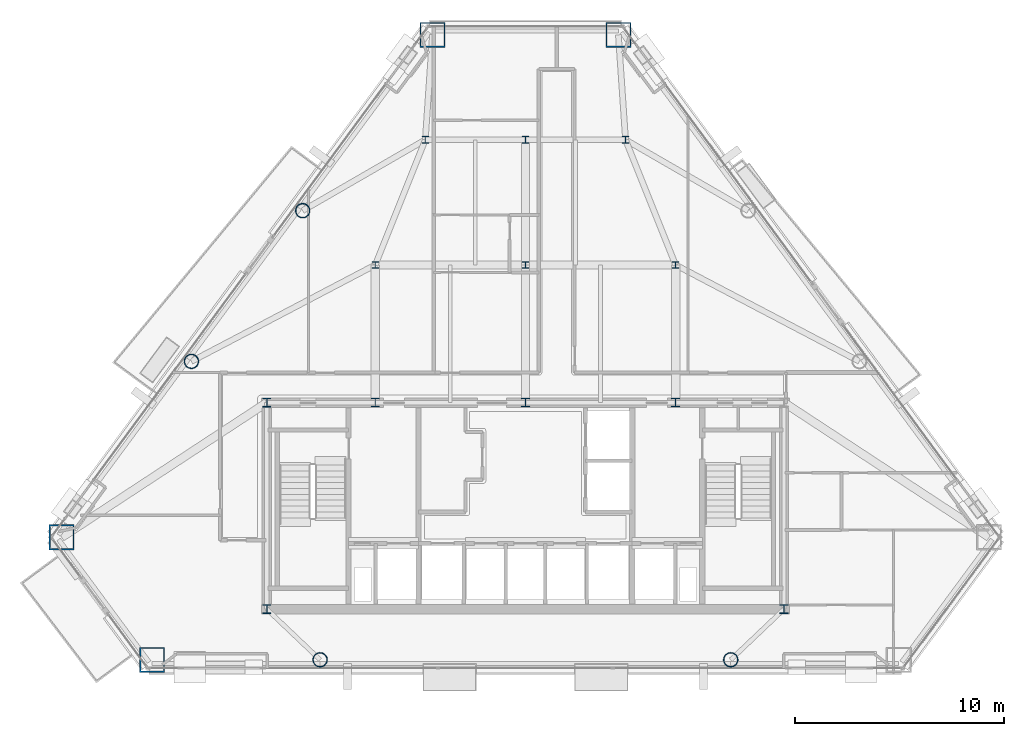
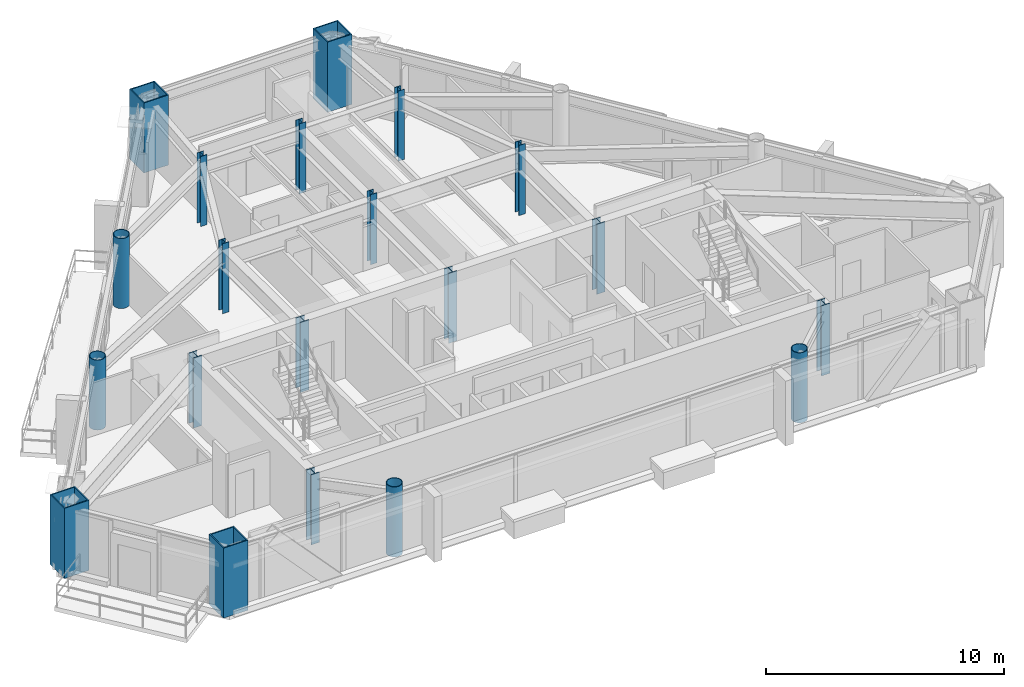
# One storey, part 1 of 12: 20 columns.
"""IFC4 building model written with IfcOpenShell, lengths in metres."""

from ifc_helpers import new_model, si_unit, direction, frame, origin, origin_2d, place, context, subcontext, project, spatial, hollow_rectangle, hollow_circle, i_section, extrude, material, material_profile, profile_set, type_object, element, save


model = new_model("IFC4")

# Units and contexts
model_context = context("Model", 3, precision=1e-05, world=origin(), true_north=direction((0.0, 1.0)))
body_context = subcontext(model_context, "Body", "Model", "MODEL_VIEW")
ifc_project = project(units=[si_unit("LENGTHUNIT", "METRE"), si_unit("AREAUNIT", "SQUARE_METRE"), si_unit("VOLUMEUNIT", "CUBIC_METRE"), si_unit("PLANEANGLEUNIT", "RADIAN"), si_unit("MASSUNIT", "GRAM", prefix="KILO")], contexts=[model_context])

# Site, building, storey
site_placement = place(None, origin())
site = spatial("IfcSite", under=ifc_project, at=site_placement, CompositionType="ELEMENT")
building_placement = place(site_placement, origin())
building = spatial("IfcBuilding", under=site, at=building_placement, Name="Talgorran Terracotta Tower", CompositionType="ELEMENT")
storey_placement = place(building_placement, frame((0.0, 0.0, 165.300048828125)))
storey = spatial("IfcBuildingStorey", under=building, at=storey_placement, Name="L43", CompositionType="ELEMENT", Elevation=165.300048828125)

# Columns
ifc_material_1 = material(Name="Steel S355 (300PLUS)", Category="steel")
ifc_material_profile_1 = material_profile(ifc_material_1, i_section(OverallWidth=0.311279296875, OverallDepth=0.3271484375, WebThickness=0.015625, FlangeThickness=0.02490234375, at=origin_2d()), Name="310UC158")
ifc_profile_set_1 = profile_set([ifc_material_profile_1], Name="Steel S355 (300PLUS)")
column_type_1 = type_object("IfcColumnType", Name="COL_310UC158", PredefinedType="COLUMN", material=ifc_profile_set_1)
for number, where, z_axis, x_axis, name in (
    (1, (-7.199951171875, 2.39990234375, 0.0), (0.0, 0.0, 1.0), (1.0, 0.0, 0.0), "L43 Interior Gravity Column IC1"),
    (2, (0.0, 2.39990234375, 0.0), (0.0, 0.0, 1.0), (1.0, 0.0, 0.0), "L43 Interior Gravity Column IC2"),
    (3, (7.199951171875, 2.39990234375, 0.0), (0.0, 0.0, 1.0), (1.0, 0.0, 0.0), "L43 Interior Gravity Column IC3"),
    (4, (-4.800048828125, 8.39990234375, 0.0), (0.0, 0.0, 1.0), (1.0, 0.0, 0.0), "L43 Interior Gravity Column IC4"),
    (5, (0.0, 8.39990234375, 0.0), (0.0, 0.0, 1.0), (1.0, 0.0, 0.0), "L43 Interior Gravity Column IC5"),
    (6, (4.800048828125, 8.39990234375, 0.0), (0.0, 0.0, 1.0), (1.0, 0.0, 0.0), "L43 Interior Gravity Column IC6"),
):
    element("IfcColumn", number, at=place(storey_placement, frame(where, z_axis=z_axis, x_axis=x_axis)), inside=storey, type_object=column_type_1, Name=name, PredefinedType="COLUMN", context=body_context, shape_type="SweptSolid", body=[
        extrude(i_section(OverallWidth=0.311279296875, OverallDepth=0.3271484375, WebThickness=0.015625, FlangeThickness=0.02490234375, at=origin_2d()), origin(), (0.0, 0.0, 1.0), 3.599853515625),
    ])
ifc_material_profile_2 = material_profile(ifc_material_1, i_section(OverallWidth=0.39990234375, OverallDepth=0.43994140625, WebThickness=0.028076171875, FlangeThickness=0.0400390625, at=origin_2d()), Name="400WC328")
ifc_profile_set_2 = profile_set([ifc_material_profile_2], Name="Steel S355 (300PLUS)")
column_type_2 = type_object("IfcColumnType", Name="COL_400WC328", PredefinedType="COLUMN", material=ifc_profile_set_2)
for number, where, z_axis, x_axis, name in (
    (7, (-12.39990234375, -14.10009765625, 0.0), (0.0, 0.0, 1.0), (1.0, 0.0, 0.0), "L43 Core Boundary Column CC1"),
    (8, (12.39990234375, -14.10009765625, 0.0), (0.0, 0.0, 1.0), (1.0, 0.0, 0.0), "L43 Core Boundary Column CC2"),
    (9, (-12.39990234375, -4.199951171875, 0.0), (0.0, 0.0, 1.0), (1.0, 0.0, 0.0), "L43 Core Boundary Column CC4"),
):
    element("IfcColumn", number, at=place(storey_placement, frame(where, z_axis=z_axis, x_axis=x_axis)), inside=storey, type_object=column_type_2, Name=name, PredefinedType="COLUMN", context=body_context, shape_type="SweptSolid", body=[
        extrude(i_section(OverallWidth=0.39990234375, OverallDepth=0.43994140625, WebThickness=0.028076171875, FlangeThickness=0.0400390625, at=origin_2d()), origin(), (0.0, 0.0, 1.0), 3.599853515625),
    ])
ifc_material_2 = material(Name="Steel Grade 350 (350L0)", Category="steel")
ifc_material_profile_3 = material_profile(ifc_material_2, hollow_rectangle(XDim=1.199951171875, YDim=1.199951171875, WallThickness=0.054931640625, at=origin_2d()), Name="CFT1200X1200X55")
ifc_profile_set_3 = profile_set([ifc_material_profile_3], Name="Steel Grade 350 (350L0)")
column_type_3 = type_object("IfcColumnType", Name="COL_CFT_1200", PredefinedType="COLUMN", material=ifc_profile_set_3)
for number, where, z_axis, x_axis, name in (
    (10, (-22.234130859375, -10.654541015625, 0.0), (0.0, 0.0, 1.0), (1.0, 0.0, 0.0), "L43 Corner CFT Mega-Column MC1"),
    (11, (-17.898193359375, -16.530029296875, 0.0), (0.0, 0.0, 1.0), (1.0, 0.0, 0.0), "L43 Corner CFT Mega-Column MC2"),
    (12, (4.45703125, 13.4345703125, 0.0), (0.0, 0.0, 1.0), (1.0, 0.0, 0.0), "L43 Corner CFT Mega-Column MC5"),
    (13, (-4.45703125, 13.4345703125, 0.0), (0.0, 0.0, 1.0), (1.0, 0.0, 0.0), "L43 Corner CFT Mega-Column MC6"),
):
    element("IfcColumn", number, at=place(storey_placement, frame(where, z_axis=z_axis, x_axis=x_axis)), inside=storey, type_object=column_type_3, Name=name, PredefinedType="COLUMN", context=body_context, shape_type="SweptSolid", body=[
        extrude(hollow_rectangle(XDim=1.199951171875, YDim=1.199951171875, WallThickness=0.054931640625, at=origin_2d()), origin(), (0.0, 0.0, 1.0), 3.599853515625),
    ])
ifc_material_profile_4 = material_profile(ifc_material_2, hollow_circle(Radius=0.35009765625, WallThickness=0.030029296875, at=origin_2d()), Name="CHS700X30")
ifc_profile_set_4 = profile_set([ifc_material_profile_4], Name="Steel Grade 350 (350L0)")
column_type_4 = type_object("IfcColumnType", Name="COL_CHS_700", PredefinedType="COLUMN", material=ifc_profile_set_4)
for number, where, z_axis, x_axis, name in (
    (14, (-9.843994140625, -16.530029296875, 0.0), (0.0, 0.0, 1.0), (1.0, 0.0, 0.0), "L43 Facet Perimeter Column FC1"),
    (15, (9.843994140625, -16.530029296875, 0.0), (0.0, 0.0, 1.0), (1.0, 0.0, 0.0), "L43 Facet Perimeter Column FC2"),
    (16, (-10.67919921875, 5.00341796875, 0.0), (0.0, 0.0, 1.0), (1.0, 0.0, 0.0), "L43 Facet Perimeter Column FC5"),
    (17, (-16.01220703125, -2.223388671875, 0.0), (0.0, 0.0, 1.0), (1.0, 0.0, 0.0), "L43 Facet Perimeter Column FC6"),
):
    element("IfcColumn", number, at=place(storey_placement, frame(where, z_axis=z_axis, x_axis=x_axis)), inside=storey, type_object=column_type_4, Name=name, PredefinedType="COLUMN", context=body_context, shape_type="SweptSolid", body=[
        extrude(hollow_circle(Radius=0.35009765625, WallThickness=0.030029296875, at=origin_2d()), origin(), (0.0, 0.0, 1.0), 3.599853515625),
    ])
ifc_material_profile_5 = material_profile(ifc_material_1, i_section(OverallWidth=0.405029296875, OverallDepth=0.4140625, WebThickness=0.02197265625, FlangeThickness=0.031982421875, at=origin_2d()), Name="400WC270")
ifc_profile_set_5 = profile_set([ifc_material_profile_5], Name="Steel S355 (300PLUS)")
column_type_5 = type_object("IfcColumnType", Name="COL_PIL_400WC270", PredefinedType="PILASTER", material=ifc_profile_set_5)
for number, where, z_axis, x_axis, name in (
    (18, (-7.199951171875, -4.199951171875, 0.0), (0.0, 0.0, 1.0), (1.0, 0.0, 0.0), "L43 Core Shear Pilaster CP1"),
    (19, (0.0, -4.199951171875, 0.0), (0.0, 0.0, 1.0), (1.0, 0.0, 0.0), "L43 Core Shear Pilaster CP2"),
    (20, (7.199951171875, -4.199951171875, 0.0), (0.0, 0.0, 1.0), (1.0, 0.0, 0.0), "L43 Core Shear Pilaster CP3"),
):
    element("IfcColumn", number, at=place(storey_placement, frame(where, z_axis=z_axis, x_axis=x_axis)), inside=storey, type_object=column_type_5, Name=name, PredefinedType="PILASTER", context=body_context, shape_type="SweptSolid", body=[
        extrude(i_section(OverallWidth=0.405029296875, OverallDepth=0.4140625, WebThickness=0.02197265625, FlangeThickness=0.031982421875, at=origin_2d()), origin(), (0.0, 0.0, 1.0), 3.599853515625),
    ])

save(model, "model.ifc")
